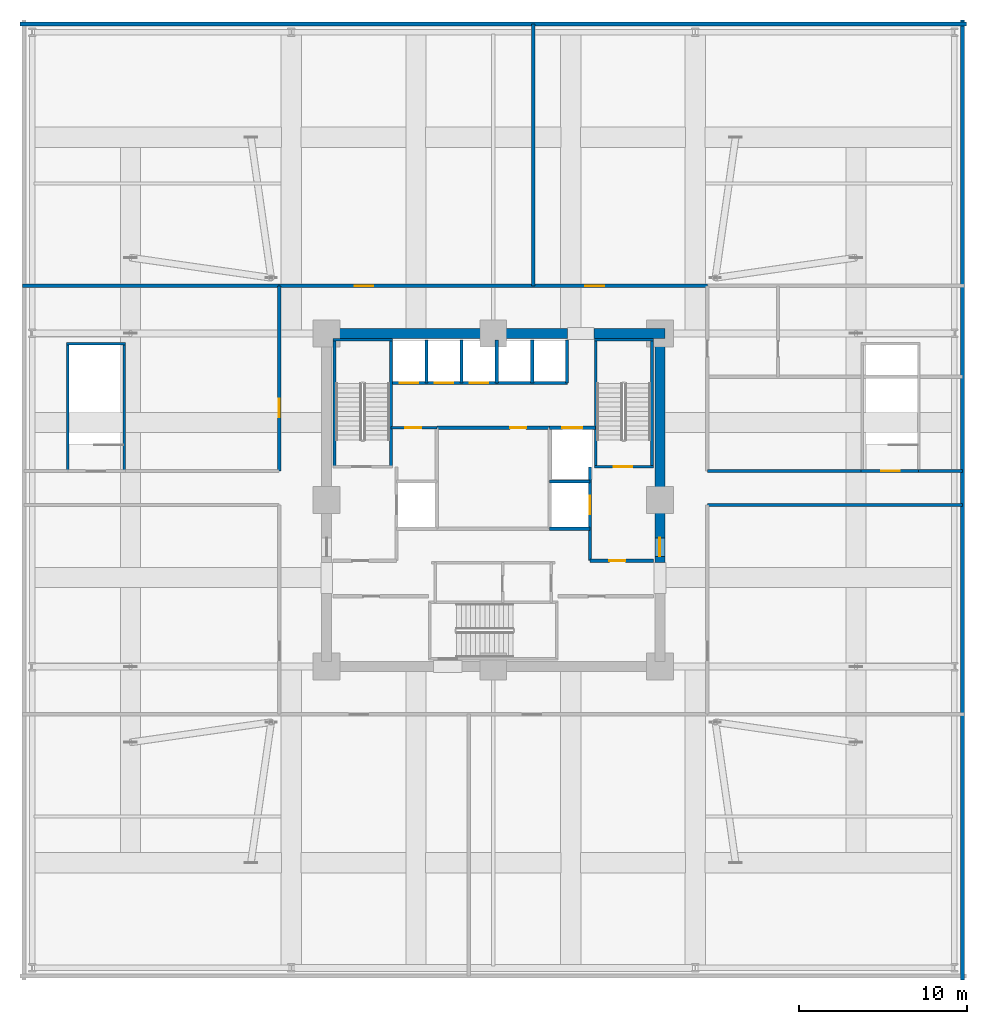
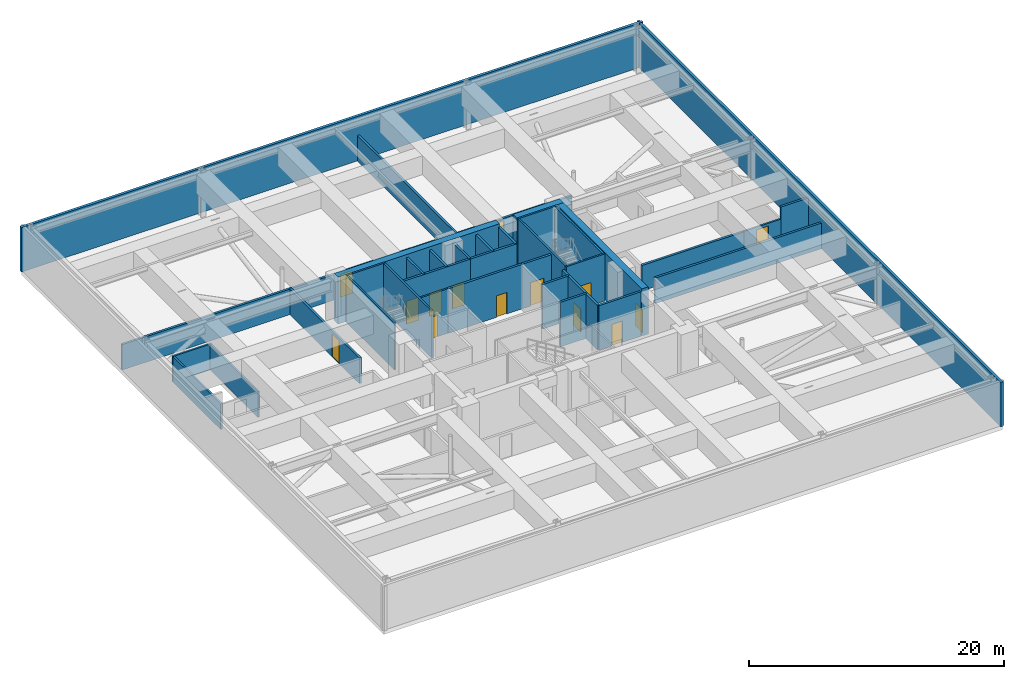
# One storey, part 13 of 16: 37 walls, 14 doors, 14 openings.
"""IFC4 building model written with IfcOpenShell, lengths in metres."""

from ifc_helpers import new_model, si_unit, direction, frame, frame_2d, origin, place, context, subcontext, project, spatial, rectangle, extrude, material, layer, layer_set, type_object, element, fill, save


model = new_model("IFC4")

# Units and contexts
model_context = context("Model", 3, precision=1e-05, world=origin(), true_north=direction((0.0, 1.0)))
body_context = subcontext(model_context, "Body", "Model", "MODEL_VIEW")
ifc_project = project(units=[si_unit("LENGTHUNIT", "METRE"), si_unit("AREAUNIT", "SQUARE_METRE"), si_unit("VOLUMEUNIT", "CUBIC_METRE"), si_unit("PLANEANGLEUNIT", "RADIAN"), si_unit("MASSUNIT", "GRAM", prefix="KILO")], contexts=[model_context])

# Site, building, storey
site_placement = place(None, origin())
site = spatial("IfcSite", under=ifc_project, at=site_placement, CompositionType="ELEMENT")
building_placement = place(site_placement, origin())
building = spatial("IfcBuilding", under=site, at=building_placement, Name="Kolvaren Belvedere", CompositionType="ELEMENT")
storey_placement = place(building_placement, frame((0.0, 0.0, 19.300048828125)))
storey = spatial("IfcBuildingStorey", under=building, at=storey_placement, Name="L05", CompositionType="ELEMENT", Elevation=19.300048828125)

# Walls
ifc_material_1 = material(Name="Concrete C60/75", Category="concrete")
ifc_layer_1 = layer(ifc_material_1, 0.60009765625)
ifc_layer_set_1 = layer_set([ifc_layer_1], Name="Concrete C60/75")
wall_type_1 = type_object("IfcWallType", Name="CW-CORE-600", PredefinedType="SHEAR", material=ifc_layer_set_1)
wall_1_placement = place(storey_placement, frame((-10.199951171875, 9.89990234375, 0.0), z_axis=(0.0, 0.0, 1.0), x_axis=(1.0, 0.0, 0.0)))
element("IfcWall", 1, at=wall_1_placement, inside=storey, type_object=wall_type_1, Name="L05 North Core Shear Wall 1", PredefinedType="SHEAR", context=body_context, shape_type="SweptSolid", body=[
    extrude(rectangle(XDim=14.619873046875, YDim=0.60009765625, at=frame_2d((7.31005859375, 0.0))), origin(), (0.0, 0.0, 1.0), 4.5),
])
wall_2_placement = place(storey_placement, frame((5.97998046875, 9.89990234375, 0.0), z_axis=(0.0, 0.0, 1.0), x_axis=(1.0, 0.0, 0.0)))
element("IfcWall", 2, at=wall_2_placement, inside=storey, type_object=wall_type_1, Name="L05 North Core Shear Wall 2", PredefinedType="SHEAR", context=body_context, shape_type="SweptSolid", body=[
    extrude(rectangle(XDim=4.219970703125, YDim=0.60009765625, at=frame_2d((2.10986328125, 0.0))), origin(), (0.0, 0.0, 1.0), 4.5),
])

# Wall, opening, door
wall_3_placement = place(storey_placement, frame((9.89990234375, -3.699951171875, 0.0), z_axis=(0.0, 0.0, 1.0), x_axis=(0.0, 1.0, 0.0)))
wall_3 = element("IfcWall", 3, at=wall_3_placement, inside=storey, type_object=wall_type_1, Name="L05 East Core Shear Wall 2", PredefinedType="SHEAR", context=body_context, shape_type="SweptSolid", body=[
    extrude(rectangle(XDim=13.300048828125, YDim=0.60009765625, at=frame_2d((6.64990234375, 0.0))), origin(), (0.0, 0.0, 1.0), 4.5),
])
opening_1_placement = place(wall_3_placement, frame((0.35009765625, 0.0, 0.0)))
opening_1 = element("IfcOpeningElement", 4, at=opening_1_placement, cuts=wall_3, Name="Opening D-FD90", PredefinedType="OPENING", context=body_context, shape_type="SweptSolid", body=[
    extrude(rectangle(XDim=1.10009765625, YDim=2.199951171875, at=frame_2d((0.550048828125, 1.10009765625))), frame((0.0, 0.31005859375, 0.0), z_axis=(0.0, -1.0, 0.0), x_axis=(1.0, 0.0, 0.0)), (0.0, 0.0, 1.0), 0.6201171875),
])
ifc_material_2 = material(Name="Painted hollow stainless steel", Category="steel")
door_type_1 = type_object("IfcDoorType", Name="DR-FD90-1100", OperationType="NOTDEFINED", PredefinedType="DOOR", material=ifc_material_2)
door_1_placement = place(opening_1_placement, origin())
door_1 = element("IfcDoor", 5, at=door_1_placement, inside=storey, type_object=door_type_1, Name="L05 East Firefighting Lobby Fire Door", OperationType="SINGLE_SWING_RIGHT", OverallHeight=2.199951171875, OverallWidth=1.10009765625, PredefinedType="DOOR", context=body_context, shape_type="SweptSolid", body=[
    extrude(rectangle(XDim=1.10009765625, YDim=2.199951171875, at=frame_2d((0.550048828125, 1.10009765625))), frame((0.0, 0.02490234375, 0.0), z_axis=(0.0, -1.0, 0.0), x_axis=(1.0, 0.0, 0.0)), (0.0, 0.0, 1.0), 0.050048828125),
])
fill(opening_1, door_1)

# Walls
ifc_material_3 = material(Name="Concrete C50/60", Category="concrete")
ifc_layer_2 = layer(ifc_material_3, 0.159912109375)
ifc_layer_set_2 = layer_set([ifc_layer_2], Name="Concrete C50/60")
wall_type_2 = type_object("IfcWallType", Name="CW-STAIR-160", PredefinedType="SHEAR", material=ifc_layer_set_2)
wall_4_placement = place(storey_placement, frame((-9.52001953125, 9.530029296875, 0.0), z_axis=(0.0, 0.0, 1.0), x_axis=(1.0, 0.0, 0.0)))
element("IfcWall", 6, at=wall_4_placement, inside=storey, type_object=wall_type_2, Name="L05 Stair ST-1 North Shear Wall", PredefinedType="SHEAR", context=body_context, shape_type="SweptSolid", body=[
    extrude(rectangle(XDim=3.52001953125, YDim=0.159912109375, at=frame_2d((1.760009765625, 0.0))), origin(), (0.0, 0.0, 1.0), 4.5),
])
for number, where, z_axis, x_axis, name in (
    (7, (-9.429931640625, 1.969970703125, 0.0), (0.0, 0.0, 1.0), (0.0, 1.0, 0.0), "L05 Stair ST-1 West Shear Wall"),
    (8, (-6.080078125, 1.969970703125, 0.0), (0.0, 0.0, 1.0), (0.0, 1.0, 0.0), "L05 Stair ST-1 East Shear Wall"),
):
    element("IfcWall", number, at=place(storey_placement, frame(where, z_axis=z_axis, x_axis=x_axis)), inside=storey, type_object=wall_type_2, Name=name, PredefinedType="SHEAR", context=body_context, shape_type="SweptSolid", body=[
        extrude(rectangle(XDim=7.56005859375, YDim=0.159912109375, at=frame_2d((3.780029296875, 0.0))), origin(), (0.0, 0.0, 1.0), 4.5),
    ])

# Wall, opening, door
wall_5_placement = place(storey_placement, frame((6.0, 1.969970703125, 0.0), z_axis=(0.0, 0.0, 1.0), x_axis=(1.0, 0.0, 0.0)))
wall_5 = element("IfcWall", 9, at=wall_5_placement, inside=storey, type_object=wall_type_2, Name="L05 Stair ST-2 South Shear Wall", PredefinedType="SHEAR", context=body_context, shape_type="SweptSolid", body=[
    extrude(rectangle(XDim=3.52001953125, YDim=0.159912109375, at=frame_2d((1.760009765625, 0.0))), origin(), (0.0, 0.0, 1.0), 4.5),
])
opening_2_placement = place(wall_5_placement, frame((1.14990234375, 0.0, 0.0)))
opening_2 = element("IfcOpeningElement", 10, at=opening_2_placement, cuts=wall_5, Name="Opening D-FD90", PredefinedType="OPENING", context=body_context, shape_type="SweptSolid", body=[
    extrude(rectangle(XDim=1.10009765625, YDim=2.199951171875, at=frame_2d((0.550048828125, 1.10009765625))), frame((0.0, 0.08984375, 0.0), z_axis=(0.0, -1.0, 0.0), x_axis=(1.0, 0.0, 0.0)), (0.0, 0.0, 1.0), 0.179931640625),
])
door_2_placement = place(opening_2_placement, origin())
door_2 = element("IfcDoor", 11, at=door_2_placement, inside=storey, type_object=door_type_1, Name="L05 Stair ST-2 Fire Door", OperationType="SINGLE_SWING_RIGHT", OverallHeight=2.199951171875, OverallWidth=1.10009765625, PredefinedType="DOOR", context=body_context, shape_type="SweptSolid", body=[
    extrude(rectangle(XDim=1.10009765625, YDim=2.199951171875, at=frame_2d((0.550048828125, 1.10009765625))), frame((0.0, 0.02490234375, 0.0), z_axis=(0.0, -1.0, 0.0), x_axis=(1.0, 0.0, 0.0)), (0.0, 0.0, 1.0), 0.050048828125),
])
fill(opening_2, door_2)

# Walls
wall_6_placement = place(storey_placement, frame((6.0, 9.530029296875, 0.0), z_axis=(0.0, 0.0, 1.0), x_axis=(1.0, 0.0, 0.0)))
element("IfcWall", 12, at=wall_6_placement, inside=storey, type_object=wall_type_2, Name="L05 Stair ST-2 North Shear Wall", PredefinedType="SHEAR", context=body_context, shape_type="SweptSolid", body=[
    extrude(rectangle(XDim=3.52001953125, YDim=0.159912109375, at=frame_2d((1.760009765625, 0.0))), origin(), (0.0, 0.0, 1.0), 4.5),
])
for number, where, z_axis, x_axis, name in (
    (13, (6.080078125, 1.969970703125, 0.0), (0.0, 0.0, 1.0), (0.0, 1.0, 0.0), "L05 Stair ST-2 West Shear Wall"),
    (14, (9.429931640625, 1.969970703125, 0.0), (0.0, 0.0, 1.0), (0.0, 1.0, 0.0), "L05 Stair ST-2 East Shear Wall"),
):
    element("IfcWall", number, at=place(storey_placement, frame(where, z_axis=z_axis, x_axis=x_axis)), inside=storey, type_object=wall_type_2, Name=name, PredefinedType="SHEAR", context=body_context, shape_type="SweptSolid", body=[
        extrude(rectangle(XDim=7.56005859375, YDim=0.159912109375, at=frame_2d((3.780029296875, 0.0))), origin(), (0.0, 0.0, 1.0), 4.5),
    ])
wall_7_placement = place(storey_placement, frame((-25.360107421875, 9.280029296875, 0.0), z_axis=(0.0, 0.0, 1.0), x_axis=(1.0, 0.0, 0.0)))
element("IfcWall", 15, at=wall_7_placement, inside=storey, type_object=wall_type_2, Name="L05 Stair ST-P1 North Shear Wall", PredefinedType="SHEAR", context=body_context, shape_type="SweptSolid", body=[
    extrude(rectangle(XDim=3.510009765625, YDim=0.159912109375, at=frame_2d((1.7548828125, 0.0))), origin(), (0.0, 0.0, 1.0), 2.4599609375),
])
for number, where, z_axis, x_axis, name in (
    (16, (-25.280029296875, 1.719970703125, 0.0), (0.0, 0.0, 1.0), (0.0, 1.0, 0.0), "L05 Stair ST-P1 West Shear Wall"),
    (17, (-21.929931640625, 1.719970703125, 0.0), (0.0, 0.0, 1.0), (0.0, 1.0, 0.0), "L05 Stair ST-P1 East Shear Wall"),
):
    element("IfcWall", number, at=place(storey_placement, frame(where, z_axis=z_axis, x_axis=x_axis)), inside=storey, type_object=wall_type_2, Name=name, PredefinedType="SHEAR", context=body_context, shape_type="SweptSolid", body=[
        extrude(rectangle(XDim=7.56005859375, YDim=0.159912109375, at=frame_2d((3.780029296875, 0.0))), origin(), (0.0, 0.0, 1.0), 2.4599609375),
    ])

# Wall, opening, door
wall_8_placement = place(storey_placement, frame((21.85009765625, 1.719970703125, 0.0), z_axis=(0.0, 0.0, 1.0), x_axis=(1.0, 0.0, 0.0)))
wall_8 = element("IfcWall", 18, at=wall_8_placement, inside=storey, type_object=wall_type_2, Name="L05 Stair ST-P2 South Shear Wall", PredefinedType="SHEAR", context=body_context, shape_type="SweptSolid", body=[
    extrude(rectangle(XDim=3.510009765625, YDim=0.159912109375, at=frame_2d((1.7548828125, 0.0))), origin(), (0.0, 0.0, 1.0), 2.4599609375),
])
opening_3_placement = place(wall_8_placement, frame((1.199951171875, 0.0, 0.0)))
opening_3 = element("IfcOpeningElement", 19, at=opening_3_placement, cuts=wall_8, Name="Opening D-FD90", PredefinedType="OPENING", context=body_context, shape_type="SweptSolid", body=[
    extrude(rectangle(XDim=1.10009765625, YDim=2.199951171875, at=frame_2d((0.550048828125, 1.10009765625))), frame((0.0, 0.08984375, 0.0), z_axis=(0.0, -1.0, 0.0), x_axis=(1.0, 0.0, 0.0)), (0.0, 0.0, 1.0), 0.179931640625),
])
door_3_placement = place(opening_3_placement, origin())
door_3 = element("IfcDoor", 20, at=door_3_placement, inside=storey, type_object=door_type_1, Name="L05 Podium Stair ST-P2 Exit Door", OperationType="SINGLE_SWING_RIGHT", OverallHeight=2.199951171875, OverallWidth=1.10009765625, PredefinedType="DOOR", context=body_context, shape_type="SweptSolid", body=[
    extrude(rectangle(XDim=1.10009765625, YDim=2.199951171875, at=frame_2d((0.550048828125, 1.10009765625))), frame((0.0, 0.02490234375, 0.0), z_axis=(0.0, -1.0, 0.0), x_axis=(1.0, 0.0, 0.0)), (0.0, 0.0, 1.0), 0.050048828125),
])
fill(opening_3, door_3)

# Walls
ifc_material_4 = material(Name="Insulated acoustic pale-metal louvre wall", Category="aluminium")
ifc_layer_3 = layer(ifc_material_4, 0.239990234375)
ifc_layer_set_3 = layer_set([ifc_layer_3], Name="Insulated acoustic pale-metal louvre wall")
wall_type_3 = type_object("IfcWallType", Name="WL-LOUV-240", PredefinedType="STANDARD", material=ifc_layer_set_3)
wall_9_placement = place(storey_placement, frame((27.8798828125, 28.52001953125, 0.0), z_axis=(0.0, 0.0, 1.0), x_axis=(0.0, -1.0, 0.0)))
element("IfcWall", 21, at=wall_9_placement, inside=storey, type_object=wall_type_3, Name="L05 Acoustic Louvre Facade Wall 2", PredefinedType="STANDARD", context=body_context, shape_type="SweptSolid", body=[
    extrude(rectangle(XDim=57.0400390625, YDim=0.239990234375, at=frame_2d((28.52001953125, 0.0))), origin(), (0.0, 0.0, 1.0), 4.260009765625),
])
wall_10_placement = place(storey_placement, frame((-28.1201171875, 28.280029296875, 0.0), z_axis=(0.0, 0.0, 1.0), x_axis=(1.0, 0.0, 0.0)))
element("IfcWall", 22, at=wall_10_placement, inside=storey, type_object=wall_type_3, Name="L05 Acoustic Louvre Facade Wall 3", PredefinedType="STANDARD", context=body_context, shape_type="SweptSolid", body=[
    extrude(rectangle(XDim=56.240234375, YDim=0.239990234375, at=frame_2d((28.1201171875, 0.0))), origin(), (0.0, 0.0, 1.0), 4.260009765625),
])

# Wall, opening, door
ifc_material_5 = material(Name="Gypsum acoustic partition assembly", Category="gypsum")
ifc_layer_4 = layer(ifc_material_5, 0.14990234375)
ifc_layer_set_4 = layer_set([ifc_layer_4], Name="Gypsum acoustic partition assembly")
wall_type_4 = type_object("IfcWallType", Name="WL-PART-150", PredefinedType="PARTITIONING", material=ifc_layer_set_4)
wall_11_placement = place(storey_placement, frame((-6.080078125, 4.300048828125, 0.0), z_axis=(0.0, 0.0, 1.0), x_axis=(1.0, 0.0, 0.0)))
wall_11 = element("IfcWall", 23, at=wall_11_placement, inside=storey, type_object=wall_type_4, Name="L05 NW Service Room North Wall", PredefinedType="PARTITIONING", context=body_context, shape_type="SweptSolid", body=[
    extrude(rectangle(XDim=2.72998046875, YDim=0.14990234375, at=frame_2d((1.364990234375, 0.0))), origin(), (0.0, 0.0, 1.0), 4.260009765625),
])
opening_4_placement = place(wall_11_placement, frame((0.85009765625, 0.0, 0.0)))
opening_4 = element("IfcOpeningElement", 24, at=opening_4_placement, cuts=wall_11, Name="Opening D-FD60", PredefinedType="OPENING", context=body_context, shape_type="SweptSolid", body=[
    extrude(rectangle(XDim=0.949951171875, YDim=2.06005859375, at=frame_2d((0.47509765625, 1.030029296875))), frame((0.0, 0.0849609375, 0.0), z_axis=(0.0, -1.0, 0.0), x_axis=(1.0, 0.0, 0.0)), (0.0, 0.0, 1.0), 0.169921875),
])
ifc_material_6 = material(Name="Acoustic white-oak fire door leaf", Category="timber")
door_type_2 = type_object("IfcDoorType", Name="DR-FD60-950", OperationType="NOTDEFINED", PredefinedType="DOOR", material=ifc_material_6)
door_4_placement = place(opening_4_placement, origin())
door_4 = element("IfcDoor", 25, at=door_4_placement, inside=storey, type_object=door_type_2, Name="L05 NW Core Store Door", OperationType="SINGLE_SWING_RIGHT", OverallHeight=2.06005859375, OverallWidth=0.949951171875, PredefinedType="DOOR", context=body_context, shape_type="SweptSolid", body=[
    extrude(rectangle(XDim=0.949951171875, YDim=2.06005859375, at=frame_2d((0.47509765625, 1.030029296875))), frame((0.0, 0.02490234375, 0.0), z_axis=(0.0, -1.0, 0.0), x_axis=(1.0, 0.0, 0.0)), (0.0, 0.0, 1.0), 0.050048828125),
])
fill(opening_4, door_4)

ifc_material_7 = material(Name="Concrete C50/60", Category="concrete")
ifc_layer_5 = layer(ifc_material_7, 0.199951171875)
ifc_layer_set_5 = layer_set([ifc_layer_5], Name="Concrete C50/60")
wall_type_5 = type_object("IfcWallType", Name="WL-SHAFT-200", PredefinedType="SOLIDWALL", material=ifc_layer_set_5)
wall_12_placement = place(storey_placement, frame((5.75, -3.60009765625, 0.0), z_axis=(0.0, 0.0, 1.0), x_axis=(1.0, 0.0, 0.0)))
wall_12 = element("IfcWall", 26, at=wall_12_placement, inside=storey, type_object=wall_type_5, Name="L05 East FSAE Lobby South Wall", PredefinedType="SOLIDWALL", context=body_context, shape_type="SweptSolid", body=[
    extrude(rectangle(XDim=3.77001953125, YDim=0.199951171875, at=frame_2d((1.885009765625, 0.0))), origin(), (0.0, 0.0, 1.0), 4.260009765625),
])
opening_5_placement = place(wall_12_placement, frame((1.14990234375, 0.0, 0.0)))
opening_5 = element("IfcOpeningElement", 27, at=opening_5_placement, cuts=wall_12, Name="Opening D-FD60", PredefinedType="OPENING", context=body_context, shape_type="SweptSolid", body=[
    extrude(rectangle(XDim=0.949951171875, YDim=2.06005859375, at=frame_2d((0.47509765625, 1.030029296875))), frame((0.0, 0.10986328125, 0.0), z_axis=(0.0, -1.0, 0.0), x_axis=(1.0, 0.0, 0.0)), (0.0, 0.0, 1.0), 0.219970703125),
])
door_5_placement = place(opening_5_placement, origin())
door_5 = element("IfcDoor", 28, at=door_5_placement, inside=storey, type_object=door_type_2, Name="L05 SE Lift Lobby Fire Door", OperationType="SINGLE_SWING_RIGHT", OverallHeight=2.06005859375, OverallWidth=0.949951171875, PredefinedType="DOOR", context=body_context, shape_type="SweptSolid", body=[
    extrude(rectangle(XDim=0.949951171875, YDim=2.06005859375, at=frame_2d((0.47509765625, 1.030029296875))), frame((0.0, 0.02490234375, 0.0), z_axis=(0.0, -1.0, 0.0), x_axis=(1.0, 0.0, 0.0)), (0.0, 0.0, 1.0), 0.050048828125),
])
fill(opening_5, door_5)

wall_13_placement = place(storey_placement, frame((5.75, -3.60009765625, 0.0), z_axis=(0.0, 0.0, 1.0), x_axis=(0.0, 1.0, 0.0)))
wall_13 = element("IfcWall", 29, at=wall_13_placement, inside=storey, type_object=wall_type_5, Name="L05 FSAE FS2 Landing Wall", PredefinedType="SOLIDWALL", context=body_context, shape_type="SweptSolid", body=[
    extrude(rectangle(XDim=5.570068359375, YDim=0.199951171875, at=frame_2d((2.78515625, 0.0))), origin(), (0.0, 0.0, 1.0), 4.260009765625),
])
opening_6_placement = place(wall_13_placement, frame((2.75, 0.0, 0.0)))
opening_6 = element("IfcOpeningElement", 30, at=opening_6_placement, cuts=wall_13, Name="Opening LD-11", PredefinedType="OPENING", context=body_context, shape_type="SweptSolid", body=[
    extrude(rectangle(XDim=1.10009765625, YDim=2.199951171875, at=frame_2d((0.550048828125, 1.10009765625))), frame((0.0, 0.10986328125, 0.0), z_axis=(0.0, -1.0, 0.0), x_axis=(1.0, 0.0, 0.0)), (0.0, 0.0, 1.0), 0.219970703125),
])
ifc_material_8 = material(Name="Brushed stainless steel", Category="steel")
door_type_3 = type_object("IfcDoorType", Name="DR-LIFT-1100", OperationType="DOUBLE_DOOR_SLIDING", PredefinedType="DOOR", material=ifc_material_8)
door_6_placement = place(opening_6_placement, origin())
door_6 = element("IfcDoor", 31, at=door_6_placement, inside=storey, type_object=door_type_3, Name="L05 Firefighting Lift FS2 Landing Door", OperationType="DOUBLE_DOOR_SLIDING", OverallHeight=2.199951171875, OverallWidth=1.10009765625, PredefinedType="DOOR", context=body_context, shape_type="SweptSolid", body=[
    extrude(rectangle(XDim=1.10009765625, YDim=2.199951171875, at=frame_2d((0.550048828125, 1.10009765625))), frame((0.0, 0.02490234375, 0.0), z_axis=(0.0, -1.0, 0.0), x_axis=(1.0, 0.0, 0.0)), (0.0, 0.0, 1.0), 0.050048828125),
])
fill(opening_6, door_6)

# Walls
for number, where, z_axis, x_axis, name in (
    (32, (3.35009765625, -1.699951171875, 0.0), (0.0, 0.0, 1.0), (1.0, 0.0, 0.0), "L05 FSAE FS2 South Wall"),
    (33, (3.35009765625, 1.10009765625, 0.0), (0.0, 0.0, 1.0), (1.0, 0.0, 0.0), "L05 FSAE FS2 North Wall"),
):
    element("IfcWall", number, at=place(storey_placement, frame(where, z_axis=z_axis, x_axis=x_axis)), inside=storey, type_object=wall_type_5, Name=name, PredefinedType="SOLIDWALL", context=body_context, shape_type="SweptSolid", body=[
        extrude(rectangle(XDim=2.39990234375, YDim=0.199951171875, at=frame_2d((1.199951171875, 0.0))), origin(), (0.0, 0.0, 1.0), 4.260009765625),
    ])

# Wall, opening, door
wall_14_placement = place(storey_placement, frame((3.35009765625, 4.300048828125, 0.0), z_axis=(0.0, 0.0, 1.0), x_axis=(1.0, 0.0, 0.0)))
wall_14 = element("IfcWall", 34, at=wall_14_placement, inside=storey, type_object=wall_type_5, Name="L05 Service Lift SV1 Front Wall", PredefinedType="SOLIDWALL", context=body_context, shape_type="SweptSolid", body=[
    extrude(rectangle(XDim=2.72998046875, YDim=0.199951171875, at=frame_2d((1.364990234375, 0.0))), origin(), (0.0, 0.0, 1.0), 4.260009765625),
])
opening_7_placement = place(wall_14_placement, frame((0.75, 0.0, 0.0)))
opening_7 = element("IfcOpeningElement", 35, at=opening_7_placement, cuts=wall_14, Name="Opening LD-12", PredefinedType="OPENING", context=body_context, shape_type="SweptSolid", body=[
    extrude(rectangle(XDim=1.199951171875, YDim=2.25, at=frame_2d((0.60009765625, 1.125))), frame((0.0, 0.10986328125, 0.0), z_axis=(0.0, -1.0, 0.0), x_axis=(1.0, 0.0, 0.0)), (0.0, 0.0, 1.0), 0.219970703125),
])
ifc_material_9 = material(Name="Brushed stainless steel", Category="steel")
door_type_4 = type_object("IfcDoorType", Name="DR-LIFT-1200", OperationType="DOUBLE_DOOR_SLIDING", PredefinedType="DOOR", material=ifc_material_9)
door_7_placement = place(opening_7_placement, origin())
door_7 = element("IfcDoor", 36, at=door_7_placement, inside=storey, type_object=door_type_4, Name="L05 Service Lift SV1 Landing Door", OperationType="DOUBLE_DOOR_SLIDING", OverallHeight=2.25, OverallWidth=1.199951171875, PredefinedType="DOOR", context=body_context, shape_type="SweptSolid", body=[
    extrude(rectangle(XDim=1.199951171875, YDim=2.25, at=frame_2d((0.60009765625, 1.125))), frame((0.0, 0.02490234375, 0.0), z_axis=(0.0, -1.0, 0.0), x_axis=(1.0, 0.0, 0.0)), (0.0, 0.0, 1.0), 0.050048828125),
])
fill(opening_7, door_7)

# Wall, openings, doors
wall_15_placement = place(storey_placement, frame((-6.080078125, 6.949951171875, 0.0), z_axis=(0.0, 0.0, 1.0), x_axis=(1.0, 0.0, 0.0)))
wall_15 = element("IfcWall", 37, at=wall_15_placement, inside=storey, type_object=wall_type_5, Name="L05 Low-Rise Lift Bank Front Wall", PredefinedType="SOLIDWALL", context=body_context, shape_type="SweptSolid", body=[
    extrude(rectangle(XDim=6.300048828125, YDim=0.199951171875, at=frame_2d((3.14990234375, 0.0))), origin(), (0.0, 0.0, 1.0), 4.260009765625),
])
opening_8_placement = place(wall_15_placement, frame((0.52001953125, 0.0, 0.0)))
opening_8 = element("IfcOpeningElement", 38, at=opening_8_placement, cuts=wall_15, Name="Opening LD-11", PredefinedType="OPENING", context=body_context, shape_type="SweptSolid", body=[
    extrude(rectangle(XDim=1.10009765625, YDim=2.199951171875, at=frame_2d((0.550048828125, 1.10009765625))), frame((0.0, 0.10986328125, 0.0), z_axis=(0.0, -1.0, 0.0), x_axis=(1.0, 0.0, 0.0)), (0.0, 0.0, 1.0), 0.219970703125),
])
opening_9_placement = place(wall_15_placement, frame((2.60009765625, 0.0, 0.0)))
opening_9 = element("IfcOpeningElement", 39, at=opening_9_placement, cuts=wall_15, Name="Opening LD-11", PredefinedType="OPENING", context=body_context, shape_type="SweptSolid", body=[
    extrude(rectangle(XDim=1.10009765625, YDim=2.199951171875, at=frame_2d((0.550048828125, 1.10009765625))), frame((0.0, 0.10986328125, 0.0), z_axis=(0.0, -1.0, 0.0), x_axis=(1.0, 0.0, 0.0)), (0.0, 0.0, 1.0), 0.219970703125),
])
opening_10_placement = place(wall_15_placement, frame((4.679931640625, 0.0, 0.0)))
opening_10 = element("IfcOpeningElement", 40, at=opening_10_placement, cuts=wall_15, Name="Opening LD-11", PredefinedType="OPENING", context=body_context, shape_type="SweptSolid", body=[
    extrude(rectangle(XDim=1.10009765625, YDim=2.199951171875, at=frame_2d((0.550048828125, 1.10009765625))), frame((0.0, 0.10986328125, 0.0), z_axis=(0.0, -1.0, 0.0), x_axis=(1.0, 0.0, 0.0)), (0.0, 0.0, 1.0), 0.219970703125),
])
door_8_placement = place(opening_8_placement, origin())
door_8 = element("IfcDoor", 41, at=door_8_placement, inside=storey, type_object=door_type_3, Name="L05 Passenger Lift P1 Landing Door", OperationType="DOUBLE_DOOR_SLIDING", OverallHeight=2.199951171875, OverallWidth=1.10009765625, PredefinedType="DOOR", context=body_context, shape_type="SweptSolid", body=[
    extrude(rectangle(XDim=1.10009765625, YDim=2.199951171875, at=frame_2d((0.550048828125, 1.10009765625))), frame((0.0, 0.02490234375, 0.0), z_axis=(0.0, -1.0, 0.0), x_axis=(1.0, 0.0, 0.0)), (0.0, 0.0, 1.0), 0.050048828125),
])
fill(opening_8, door_8)
door_9_placement = place(opening_9_placement, origin())
door_9 = element("IfcDoor", 42, at=door_9_placement, inside=storey, type_object=door_type_3, Name="L05 Passenger Lift P2 Landing Door", OperationType="DOUBLE_DOOR_SLIDING", OverallHeight=2.199951171875, OverallWidth=1.10009765625, PredefinedType="DOOR", context=body_context, shape_type="SweptSolid", body=[
    extrude(rectangle(XDim=1.10009765625, YDim=2.199951171875, at=frame_2d((0.550048828125, 1.10009765625))), frame((0.0, 0.02490234375, 0.0), z_axis=(0.0, -1.0, 0.0), x_axis=(1.0, 0.0, 0.0)), (0.0, 0.0, 1.0), 0.050048828125),
])
fill(opening_9, door_9)
door_10_placement = place(opening_10_placement, origin())
door_10 = element("IfcDoor", 43, at=door_10_placement, inside=storey, type_object=door_type_3, Name="L05 Passenger Lift P3 Landing Door", OperationType="DOUBLE_DOOR_SLIDING", OverallHeight=2.199951171875, OverallWidth=1.10009765625, PredefinedType="DOOR", context=body_context, shape_type="SweptSolid", body=[
    extrude(rectangle(XDim=1.10009765625, YDim=2.199951171875, at=frame_2d((0.550048828125, 1.10009765625))), frame((0.0, 0.02490234375, 0.0), z_axis=(0.0, -1.0, 0.0), x_axis=(1.0, 0.0, 0.0)), (0.0, 0.0, 1.0), 0.050048828125),
])
fill(opening_10, door_10)

# Walls
for number, where, z_axis, x_axis, name in (
    (44, (-3.969970703125, 6.949951171875, 0.0), (0.0, 0.0, 1.0), (0.0, 1.0, 0.0), "L05 Low-Rise Hoistway Divider 1"),
    (45, (-1.889892578125, 6.949951171875, 0.0), (0.0, 0.0, 1.0), (0.0, 1.0, 0.0), "L05 Low-Rise Hoistway Divider 2"),
    (46, (0.2099609375, 6.949951171875, 0.0), (0.0, 0.0, 1.0), (0.0, 1.0, 0.0), "L05 Low-Rise Hoistway Divider 3"),
):
    element("IfcWall", number, at=place(storey_placement, frame(where, z_axis=z_axis, x_axis=x_axis)), inside=storey, type_object=wall_type_5, Name=name, PredefinedType="SOLIDWALL", context=body_context, shape_type="SweptSolid", body=[
        extrude(rectangle(XDim=2.570068359375, YDim=0.199951171875, at=frame_2d((1.28515625, 0.0))), origin(), (0.0, 0.0, 1.0), 4.260009765625),
    ])
wall_16_placement = place(storey_placement, frame((0.219970703125, 6.949951171875, 0.0), z_axis=(0.0, 0.0, 1.0), x_axis=(1.0, 0.0, 0.0)))
element("IfcWall", 47, at=wall_16_placement, inside=storey, type_object=wall_type_5, Name="L05 Express Shuttle Hoistway Wall", PredefinedType="SOLIDWALL", context=body_context, shape_type="SweptSolid", body=[
    extrude(rectangle(XDim=4.179931640625, YDim=0.199951171875, at=frame_2d((2.08984375, 0.0))), origin(), (0.0, 0.0, 1.0), 4.260009765625),
])
for number, where, z_axis, x_axis, name in (
    (48, (4.3798828125, 6.949951171875, 0.0), (0.0, 0.0, 1.0), (0.0, 1.0, 0.0), "L05 Express Shuttle East Wall"),
    (49, (2.31005859375, 6.949951171875, 0.0), (0.0, 0.0, 1.0), (0.0, 1.0, 0.0), "L05 Express Shuttle Divider"),
):
    element("IfcWall", number, at=place(storey_placement, frame(where, z_axis=z_axis, x_axis=x_axis)), inside=storey, type_object=wall_type_5, Name=name, PredefinedType="SOLIDWALL", context=body_context, shape_type="SweptSolid", body=[
        extrude(rectangle(XDim=2.570068359375, YDim=0.199951171875, at=frame_2d((1.28515625, 0.0))), origin(), (0.0, 0.0, 1.0), 4.260009765625),
    ])

# Wall, opening, door
wall_17_placement = place(storey_placement, frame((-3.35009765625, 4.300048828125, 0.0), z_axis=(0.0, 0.0, 1.0), x_axis=(1.0, 0.0, 0.0)))
wall_17 = element("IfcWall", 50, at=wall_17_placement, inside=storey, type_object=wall_type_5, Name="L05 Central Core Room North Wall", PredefinedType="SOLIDWALL", context=body_context, shape_type="SweptSolid", body=[
    extrude(rectangle(XDim=6.7001953125, YDim=0.199951171875, at=frame_2d((3.35009765625, 0.0))), origin(), (0.0, 0.0, 1.0), 4.260009765625),
])
opening_11_placement = place(wall_17_placement, frame((4.35009765625, 0.0, 0.0)))
opening_11 = element("IfcOpeningElement", 51, at=opening_11_placement, cuts=wall_17, Name="Opening D-FD60", PredefinedType="OPENING", context=body_context, shape_type="SweptSolid", body=[
    extrude(rectangle(XDim=0.949951171875, YDim=2.06005859375, at=frame_2d((0.47509765625, 1.030029296875))), frame((0.0, 0.10986328125, 0.0), z_axis=(0.0, -1.0, 0.0), x_axis=(1.0, 0.0, 0.0)), (0.0, 0.0, 1.0), 0.219970703125),
])
door_11_placement = place(opening_11_placement, origin())
door_11 = element("IfcDoor", 52, at=door_11_placement, inside=storey, type_object=door_type_2, Name="L05 Central Core Controls Door", OperationType="SINGLE_SWING_LEFT", OverallHeight=2.06005859375, OverallWidth=0.949951171875, PredefinedType="DOOR", context=body_context, shape_type="SweptSolid", body=[
    extrude(rectangle(XDim=0.949951171875, YDim=2.06005859375, at=frame_2d((0.47509765625, 1.030029296875))), frame((0.0, 0.02490234375, 0.0), z_axis=(0.0, -1.0, 0.0), x_axis=(1.0, 0.0, 0.0)), (0.0, 0.0, 1.0), 0.050048828125),
])
fill(opening_11, door_11)

# Wall, openings, doors
wall_18_placement = place(storey_placement, frame((-12.719970703125, 12.719970703125, 0.0), z_axis=(0.0, 0.0, 1.0), x_axis=(1.0, 0.0, 0.0)))
wall_18 = element("IfcWall", 53, at=wall_18_placement, inside=storey, type_object=wall_type_5, Name="L05 North Corridor Wall", PredefinedType="SOLIDWALL", context=body_context, shape_type="SweptSolid", body=[
    extrude(rectangle(XDim=25.43994140625, YDim=0.199951171875, at=frame_2d((12.719970703125, 0.0))), origin(), (0.0, 0.0, 1.0), 2.445068359375),
])
opening_12_placement = place(wall_18_placement, frame((4.5, 0.0, 0.0)))
opening_12 = element("IfcOpeningElement", 54, at=opening_12_placement, cuts=wall_18, Name="Opening D-FD90", PredefinedType="OPENING", context=body_context, shape_type="SweptSolid", body=[
    extrude(rectangle(XDim=1.10009765625, YDim=2.199951171875, at=frame_2d((0.550048828125, 1.10009765625))), frame((0.0, 0.10986328125, 0.0), z_axis=(0.0, -1.0, 0.0), x_axis=(1.0, 0.0, 0.0)), (0.0, 0.0, 1.0), 0.219970703125),
])
opening_13_placement = place(wall_18_placement, frame((18.199951171875, 0.0, 0.0)))
opening_13 = element("IfcOpeningElement", 55, at=opening_13_placement, cuts=wall_18, Name="Opening D-FD90", PredefinedType="OPENING", context=body_context, shape_type="SweptSolid", body=[
    extrude(rectangle(XDim=1.10009765625, YDim=2.199951171875, at=frame_2d((0.550048828125, 1.10009765625))), frame((0.0, 0.10986328125, 0.0), z_axis=(0.0, -1.0, 0.0), x_axis=(1.0, 0.0, 0.0)), (0.0, 0.0, 1.0), 0.219970703125),
])
door_12_placement = place(opening_12_placement, origin())
door_12 = element("IfcDoor", 56, at=door_12_placement, inside=storey, type_object=door_type_1, Name="L05 Pressurisation Fan Mechanical Plant Door", OperationType="SINGLE_SWING_RIGHT", OverallHeight=2.199951171875, OverallWidth=1.10009765625, PredefinedType="DOOR", context=body_context, shape_type="SweptSolid", body=[
    extrude(rectangle(XDim=1.10009765625, YDim=2.199951171875, at=frame_2d((0.550048828125, 1.10009765625))), frame((0.0, 0.02490234375, 0.0), z_axis=(0.0, -1.0, 0.0), x_axis=(1.0, 0.0, 0.0)), (0.0, 0.0, 1.0), 0.050048828125),
])
fill(opening_12, door_12)
door_13_placement = place(opening_13_placement, origin())
door_13 = element("IfcDoor", 57, at=door_13_placement, inside=storey, type_object=door_type_1, Name="L05 Domestic Booster Pump Mechanical Plant Door", OperationType="SINGLE_SWING_LEFT", OverallHeight=2.199951171875, OverallWidth=1.10009765625, PredefinedType="DOOR", context=body_context, shape_type="SweptSolid", body=[
    extrude(rectangle(XDim=1.10009765625, YDim=2.199951171875, at=frame_2d((0.550048828125, 1.10009765625))), frame((0.0, 0.02490234375, 0.0), z_axis=(0.0, -1.0, 0.0), x_axis=(1.0, 0.0, 0.0)), (0.0, 0.0, 1.0), 0.050048828125),
])
fill(opening_13, door_13)

# Wall, opening, door
wall_19_placement = place(storey_placement, frame((-12.719970703125, 1.719970703125, 0.0), z_axis=(0.0, 0.0, 1.0), x_axis=(0.0, 1.0, 0.0)))
wall_19 = element("IfcWall", 58, at=wall_19_placement, inside=storey, type_object=wall_type_5, Name="L05 West Corridor Wall N", PredefinedType="SOLIDWALL", context=body_context, shape_type="SweptSolid", body=[
    extrude(rectangle(XDim=11.0, YDim=0.199951171875, at=frame_2d((5.5, 0.0))), origin(), (0.0, 0.0, 1.0), 2.445068359375),
])
opening_14_placement = place(wall_19_placement, frame((3.199951171875, 0.0, 0.0)))
opening_14 = element("IfcOpeningElement", 59, at=opening_14_placement, cuts=wall_19, Name="Opening D-FD90", PredefinedType="OPENING", context=body_context, shape_type="SweptSolid", body=[
    extrude(rectangle(XDim=1.10009765625, YDim=2.199951171875, at=frame_2d((0.550048828125, 1.10009765625))), frame((0.0, 0.10986328125, 0.0), z_axis=(0.0, -1.0, 0.0), x_axis=(1.0, 0.0, 0.0)), (0.0, 0.0, 1.0), 0.219970703125),
])
door_14_placement = place(opening_14_placement, origin())
door_14 = element("IfcDoor", 60, at=door_14_placement, inside=storey, type_object=door_type_1, Name="L05 Podium Transfer Truss Mechanical Plant Door", OperationType="SINGLE_SWING_LEFT", OverallHeight=2.199951171875, OverallWidth=1.10009765625, PredefinedType="DOOR", context=body_context, shape_type="SweptSolid", body=[
    extrude(rectangle(XDim=1.10009765625, YDim=2.199951171875, at=frame_2d((0.550048828125, 1.10009765625))), frame((0.0, 0.02490234375, 0.0), z_axis=(0.0, -1.0, 0.0), x_axis=(1.0, 0.0, 0.0)), (0.0, 0.0, 1.0), 0.050048828125),
])
fill(opening_14, door_14)

# Walls
wall_20_placement = place(storey_placement, frame((12.719970703125, -0.300048828125, 0.0), z_axis=(0.0, 0.0, 1.0), x_axis=(1.0, 0.0, 0.0)))
element("IfcWall", 61, at=wall_20_placement, inside=storey, type_object=wall_type_5, Name="L05 East Stair Spur South Wall", PredefinedType="SOLIDWALL", context=body_context, shape_type="SweptSolid", body=[
    extrude(rectangle(XDim=15.159912109375, YDim=0.199951171875, at=frame_2d((7.580078125, 0.0))), origin(), (0.0, 0.0, 1.0), 2.445068359375),
])
wall_21_placement = place(storey_placement, frame((12.719970703125, 1.719970703125, 0.0), z_axis=(0.0, 0.0, 1.0), x_axis=(1.0, 0.0, 0.0)))
element("IfcWall", 62, at=wall_21_placement, inside=storey, type_object=wall_type_5, Name="L05 East Stair Spur North Wall", PredefinedType="SOLIDWALL", context=body_context, shape_type="SweptSolid", body=[
    extrude(rectangle(XDim=9.2099609375, YDim=0.199951171875, at=frame_2d((4.60498046875, 0.0))), origin(), (0.0, 0.0, 1.0), 2.445068359375),
])
wall_22_placement = place(storey_placement, frame((25.280029296875, 1.719970703125, 0.0), z_axis=(0.0, 0.0, 1.0), x_axis=(1.0, 0.0, 0.0)))
element("IfcWall", 63, at=wall_22_placement, inside=storey, type_object=wall_type_5, Name="L05 East Stair Spur End Wall", PredefinedType="SOLIDWALL", context=body_context, shape_type="SweptSolid", body=[
    extrude(rectangle(XDim=2.599853515625, YDim=0.199951171875, at=frame_2d((1.2998046875, 0.0))), origin(), (0.0, 0.0, 1.0), 3.62890625),
])
wall_23_placement = place(storey_placement, frame((-27.97998046875, 12.719970703125, 0.0), z_axis=(0.0, 0.0, 1.0), x_axis=(1.0, 0.0, 0.0)))
element("IfcWall", 64, at=wall_23_placement, inside=storey, type_object=wall_type_5, Name="L05 Sector Wall PW-L05-QNW", PredefinedType="SOLIDWALL", context=body_context, shape_type="SweptSolid", body=[
    extrude(rectangle(XDim=15.260009765625, YDim=0.199951171875, at=frame_2d((7.6298828125, 0.0))), origin(), (0.0, 0.0, 1.0), 2.445068359375),
])
wall_24_placement = place(storey_placement, frame((2.364990234375, 12.719970703125, 0.0), z_axis=(0.0, 0.0, 1.0), x_axis=(0.0, 1.0, 0.0)))
element("IfcWall", 65, at=wall_24_placement, inside=storey, type_object=wall_type_5, Name="L05 North Plant Wall", PredefinedType="SOLIDWALL", context=body_context, shape_type="SweptSolid", body=[
    extrude(rectangle(XDim=15.56005859375, YDim=0.199951171875, at=frame_2d((7.780029296875, 0.0))), origin(), (0.0, 0.0, 1.0), 2.445068359375),
])

save(model, "model.ifc")
